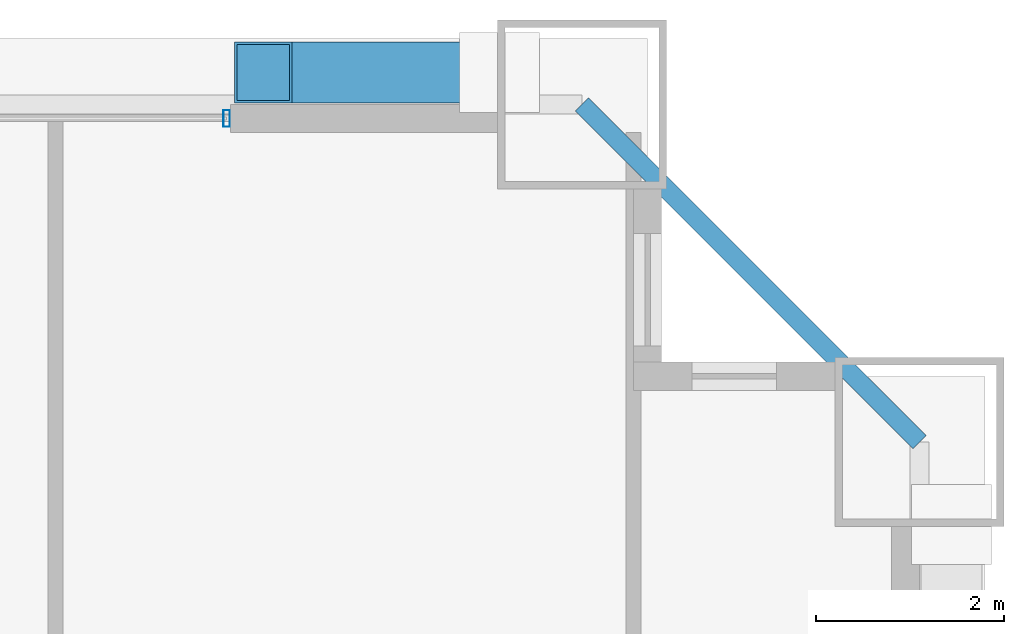
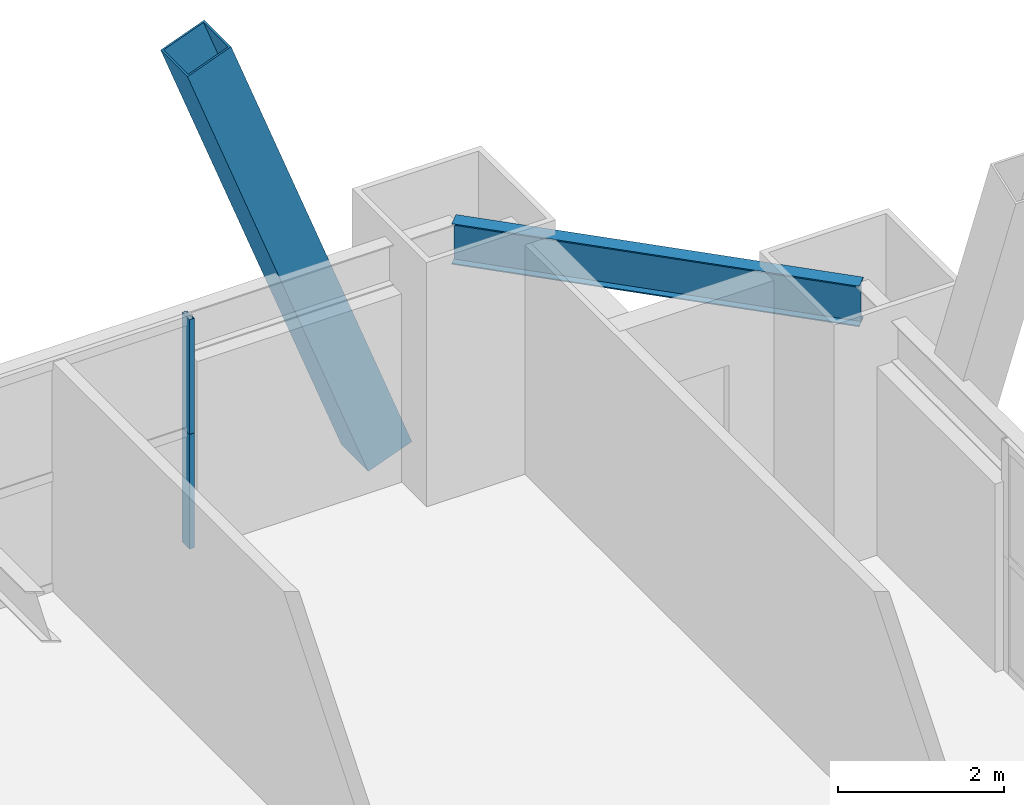
# One storey, part 37 of 43: 3 members, 1 beam, 1 element without a shape of its own.
"""IFC4 building model written with IfcOpenShell, lengths in metres."""

from ifc_helpers import new_model, si_unit, direction, frame, origin, origin_2d, place, context, subcontext, project, spatial, hollow_rectangle, i_section, extrude, source, transform, mapped, material, layer, layer_set, material_profile, profile_set, type_object, element, aggregate, save


model = new_model("IFC4")

# Units and contexts
model_context = context("Model", 3, precision=1e-05, world=origin(), true_north=direction((0.0, 1.0)))
body_context = subcontext(model_context, "Body", "Model", "MODEL_VIEW")
ifc_project = project(units=[si_unit("LENGTHUNIT", "METRE"), si_unit("AREAUNIT", "SQUARE_METRE"), si_unit("VOLUMEUNIT", "CUBIC_METRE"), si_unit("PLANEANGLEUNIT", "RADIAN"), si_unit("MASSUNIT", "GRAM", prefix="KILO"), si_unit("THERMODYNAMICTEMPERATUREUNIT", "KELVIN"), si_unit("POWERUNIT", "WATT")], contexts=[model_context])

# Site, building, storey
site_placement = place(None, origin())
site = spatial("IfcSite", under=ifc_project, at=site_placement, CompositionType="ELEMENT")
building_placement = place(site_placement, origin())
building = spatial("IfcBuilding", under=site, at=building_placement, Name="Yuzanri Waterfront Tower", CompositionType="ELEMENT")
storey_placement = place(building_placement, frame((0.0, 0.0, 53.199951171875)))
storey = spatial("IfcBuildingStorey", under=building, at=storey_placement, Name="L13", CompositionType="ELEMENT", Elevation=53.199951171875)

# Beam
ifc_material_1 = material(Name="Steel Q355B", Category="steel")
ifc_material_profile_1 = material_profile(ifc_material_1, i_section(OverallWidth=0.199951171875, OverallDepth=0.60009765625, WebThickness=0.010986328125, FlangeThickness=0.01708984375, at=origin_2d()), Name="HN 600x200x11x17")
ifc_profile_set_1 = profile_set([ifc_material_profile_1], Name="Steel Q355B")
beam_type = type_object("IfcBeamType", Name="Perimeter Spandrel Q355B HN 600x200", PredefinedType="SPANDREL", material=ifc_profile_set_1)
shared_shape_1 = source(origin(), body_context, "Body", "SweptSolid", [
    extrude(i_section(OverallWidth=0.199951171875, OverallDepth=0.60009765625, WebThickness=0.010986328125, FlangeThickness=0.01708984375, at=origin_2d()), origin(), (0.0, 0.0, 1.0), 5.091064453125),
])
beam_placement = place(storey_placement, frame((62.10009765625, 47.300048828125, 3.080078125), z_axis=(-0.707130757816, 0.707082803744, 0.0), x_axis=(-0.707082803744, -0.707130757816, 0.0)))
element("IfcBeam", 1, at=beam_placement, inside=storey, type_object=beam_type, Name="L13 Perimeter Spandrel E3-N3", PredefinedType="SPANDREL", context=body_context, shape_type="MappedRepresentation", body=[
    mapped(shared_shape_1, transform((0.0, 0.0, 0.0), scale=1.0)),
])

# Member
ifc_material_2 = material(Name="Steel Q420GJC", Category="steel")
ifc_material_profile_2 = material_profile(ifc_material_2, hollow_rectangle(XDim=0.64990234375, YDim=0.64990234375, WallThickness=0.028076171875, at=origin_2d()), Name="RHS 650x650x28")
ifc_profile_set_2 = profile_set([ifc_material_profile_2], Name="Steel Q420GJC")
member_type_1 = type_object("IfcMemberType", Name="Mega Brace Lower Q420GJC RHS 650x650x28", PredefinedType="BRACE", material=ifc_profile_set_2)
shared_shape_2 = source(origin(), body_context, "Body", "SweptSolid", [
    extrude(hollow_rectangle(XDim=0.64990234375, YDim=0.64990234375, WallThickness=0.028076171875, at=origin_2d()), origin(), (0.0, 0.0, 1.0), 7.158447265625),
])
member_1_placement = place(storey_placement, frame((57.6201171875, 51.239990234375, 0.179931640625), z_axis=(-0.352035242291, 0.0, 0.935986745731), x_axis=(0.0, -1.0, 0.0)))
element("IfcMember", 2, at=member_1_placement, inside=storey, type_object=member_type_1, Name="L13-L14 Perimeter Mega-Brace N-R", PredefinedType="BRACE", context=body_context, shape_type="MappedRepresentation", body=[
    mapped(shared_shape_2, transform((0.0, 0.0, 0.0), scale=1.0)),
])

# Curtain wall, members
ifc_material_3 = material(Name="Anodized Architectural Bronze", Category="metal")
ifc_layer = layer(ifc_material_3, 0.159912109375)
ifc_layer_set = layer_set([ifc_layer], Name="Anodized Architectural Bronze")
curtain_wall_type = type_object("IfcCurtainWallType", Name="Anodized Bronze Hotel Lower-Tier Recessed Unitized Curtain Wall 8100", PredefinedType="NOTDEFINED", material=ifc_layer_set)
curtain_wall_placement = place(storey_placement, origin())
curtain_wall = element("IfcCurtainWall", 3, at=curtain_wall_placement, inside=storey, type_object=curtain_wall_type, Name="L13 Curtain Wall CW-L13-NR", PredefinedType="NOTDEFINED")
ifc_material_4 = material(Name="Anodized Architectural Bronze", Category="metal")
ifc_material_profile_3 = material_profile(ifc_material_4, hollow_rectangle(XDim=0.070068359375, YDim=0.179931640625, WallThickness=0.00390625, at=origin_2d()), Name="CWM 70x180")
ifc_profile_set_3 = profile_set([ifc_material_profile_3], Name="Anodized Architectural Bronze")
member_type_2 = type_object("IfcMemberType", Name="Anodized Bronze Standard Curtain-Wall Mullion 70x180", PredefinedType="MULLION", material=ifc_profile_set_3)
shared_shape_3 = source(origin(), body_context, "Body", "SweptSolid", [
    extrude(hollow_rectangle(XDim=0.070068359375, YDim=0.179931640625, WallThickness=0.00390625, at=origin_2d()), origin(), (0.0, 0.0, 1.0), 1.68798828125),
])
member_2_placement = place(storey_placement, frame((54.7099609375, 50.75, 0.0), z_axis=(0.0, 0.0, 1.0), x_axis=(1.0, 0.0, 0.0)))
member_2 = element("IfcMember", 4, at=member_2_placement, type_object=member_type_2, Name="CW-L13-NR Lower Mullion 02", PredefinedType="MULLION", context=body_context, shape_type="MappedRepresentation", body=[
    mapped(shared_shape_3, transform((0.0, 0.0, 0.0), scale=1.0)),
])
member_3_placement = place(storey_placement, frame((54.7099609375, 50.75, 1.692138671875), z_axis=(0.0, 0.0, 1.0), x_axis=(1.0, 0.0, 0.0)))
member_3 = element("IfcMember", 5, at=member_3_placement, type_object=member_type_2, Name="CW-L13-NR Upper Mullion 02", PredefinedType="MULLION", context=body_context, shape_type="MappedRepresentation", body=[
    mapped(shared_shape_3, transform((0.0, 0.0, 0.0), scale=1.0)),
])
aggregate(curtain_wall, [member_2, member_3])

save(model, "model.ifc")
